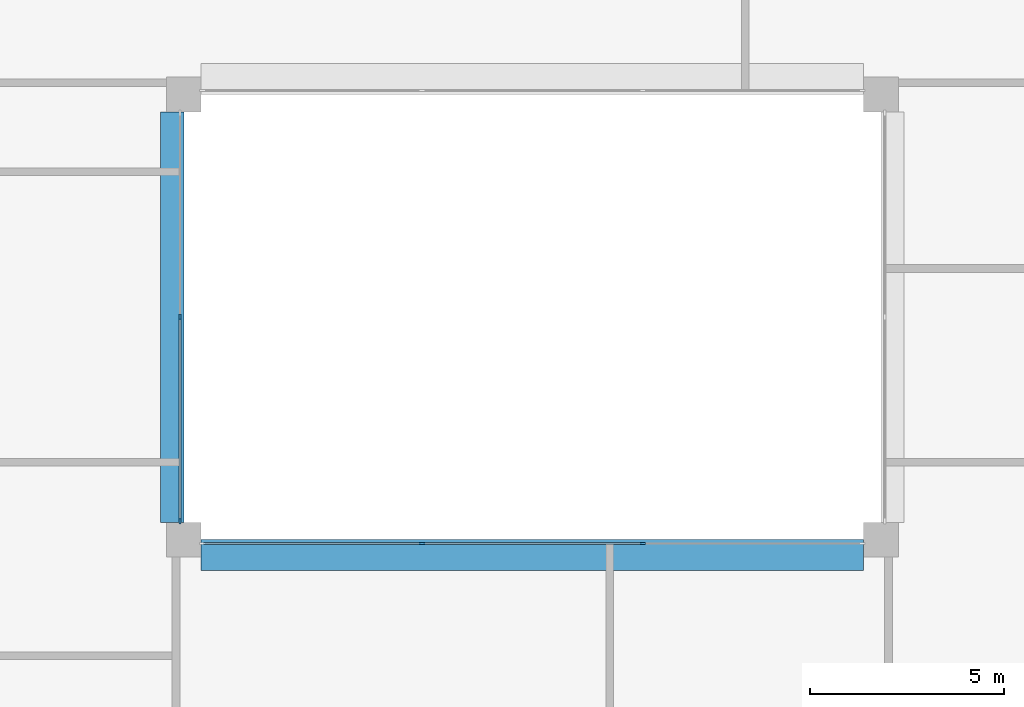
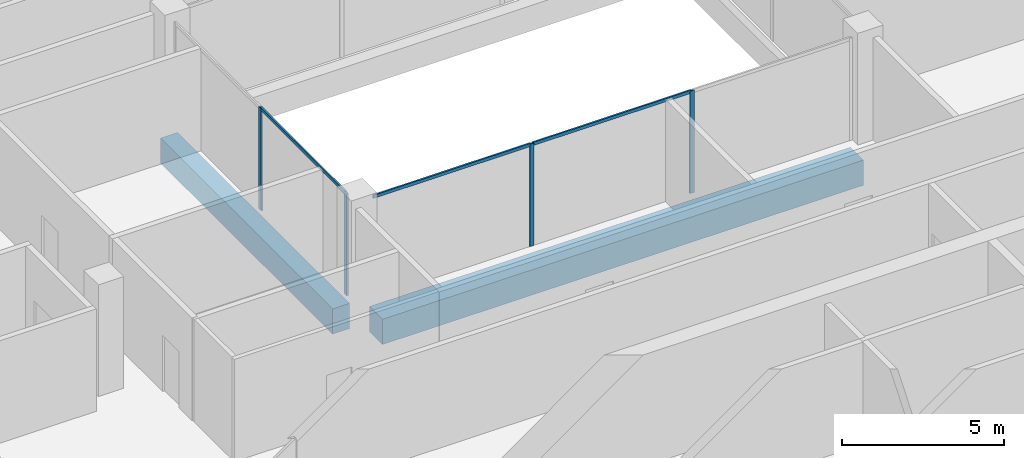
# One storey, part 3 of 15: 7 members, 2 beams, 2 elements without a shape of their own.
"""IFC4 building model written with IfcOpenShell, lengths in metres."""

from ifc_helpers import new_model, si_unit, direction, frame, origin, origin_2d, place, context, subcontext, project, spatial, rectangle, extrude, material, layer, layer_set, material_profile, profile_set, type_object, element, aggregate, save


model = new_model("IFC4")

# Units and contexts
model_context = context("Model", 3, precision=1e-05, world=origin(), true_north=direction((0.0, 1.0)))
body_context = subcontext(model_context, "Body", "Model", "MODEL_VIEW")
ifc_project = project(units=[si_unit("LENGTHUNIT", "METRE"), si_unit("AREAUNIT", "SQUARE_METRE"), si_unit("VOLUMEUNIT", "CUBIC_METRE"), si_unit("PLANEANGLEUNIT", "RADIAN"), si_unit("MASSUNIT", "GRAM", prefix="KILO")], contexts=[model_context])

# Site, building, storey
site_placement = place(None, origin())
site = spatial("IfcSite", under=ifc_project, at=site_placement, CompositionType="ELEMENT")
building_placement = place(site_placement, origin())
building = spatial("IfcBuilding", under=site, at=building_placement, Name="Brigalow Station Residences", CompositionType="ELEMENT")
storey_placement = place(building_placement, frame((0.0, 0.0, 240.0)))
storey = spatial("IfcBuildingStorey", under=building, at=storey_placement, Name="L69", CompositionType="ELEMENT", Elevation=240.0)

# Beams
ifc_material_1 = material(Name="Concrete C65", Category="concrete")
ifc_material_profile_1 = material_profile(ifc_material_1, rectangle(XDim=0.60009765625, YDim=0.949951171875, at=origin_2d()), Name="RC600x950")
ifc_profile_set_1 = profile_set([ifc_material_profile_1], Name="Concrete C65")
beam_type_1 = type_object("IfcBeamType", Name="ATRIUM EDGE GIRDER 600x950 C65", PredefinedType="BEAM", material=ifc_profile_set_1)
beam_1_placement = place(storey_placement, frame((26.699951171875, 24.449951171875, -0.824951171875), z_axis=(0.0, 1.0, 0.0), x_axis=(-1.0, 0.0, 0.0)))
element("IfcBeam", 1, at=beam_1_placement, inside=storey, type_object=beam_type_1, Name="ATRIUM EDGE GIRDER 3 L69", PredefinedType="BEAM", context=body_context, shape_type="SweptSolid", body=[
    extrude(rectangle(XDim=0.60009765625, YDim=0.949951171875, at=origin_2d()), origin(), (0.0, 0.0, 1.0), 10.60009765625),
])
ifc_material_2 = material(Name="Concrete C65", Category="concrete")
ifc_material_profile_2 = material_profile(ifc_material_2, rectangle(XDim=0.800048828125, YDim=0.949951171875, at=origin_2d()), Name="RC800x950")
ifc_profile_set_2 = profile_set([ifc_material_profile_2], Name="Concrete C65")
beam_type_2 = type_object("IfcBeamType", Name="ATRIUM EDGE GIRDER OVER 13.5 M SPAN 800x950 C65", PredefinedType="BEAM", material=ifc_profile_set_2)
beam_2_placement = place(storey_placement, frame((27.449951171875, 23.60009765625, -0.824951171875), z_axis=(1.0, 0.0, 0.0), x_axis=(0.0, 1.0, 0.0)))
element("IfcBeam", 2, at=beam_2_placement, inside=storey, type_object=beam_type_2, Name="ATRIUM EDGE GIRDER C L69", PredefinedType="BEAM", context=body_context, shape_type="SweptSolid", body=[
    extrude(rectangle(XDim=0.800048828125, YDim=0.949951171875, at=origin_2d()), origin(), (0.0, 0.0, 1.0), 17.10009765625),
])

# Curtain wall, members
ifc_material_3 = material(Name="Aluminium", Category="aluminium")
ifc_layer = layer(ifc_material_3, 0.14990234375)
ifc_layer_set = layer_set([ifc_layer], Name="ATRIUM FIRE-RATED GLAZING CURTAIN WALL")
curtain_wall_type = type_object("IfcCurtainWallType", Name="ATRIUM FIRE-RATED GLAZING CURTAIN WALL", PredefinedType="NOTDEFINED", material=ifc_layer_set)
curtain_wall_1_placement = place(storey_placement, origin())
curtain_wall_1 = element("IfcCurtainWall", 3, at=curtain_wall_1_placement, inside=storey, type_object=curtain_wall_type, Name="L69/cw/atrium-S", PredefinedType="NOTDEFINED")
ifc_material_4 = material(Name="Aluminium", Category="aluminium")
ifc_material_profile_3 = material_profile(ifc_material_4, rectangle(XDim=0.06005859375, YDim=0.14990234375, at=origin_2d()), Name="ATRIUM FIRE-RATED GLAZING MULLION 60x150")
ifc_profile_set_3 = profile_set([ifc_material_profile_3], Name="Aluminium")
member_type_1 = type_object("IfcMemberType", Name="ATRIUM FIRE-RATED GLAZING MULLION 60x150", PredefinedType="MULLION", material=ifc_profile_set_3)
member_1_placement = place(storey_placement, frame((33.14990234375, 23.89990234375, 0.0), z_axis=(0.0, 0.0, 1.0), x_axis=(0.0, 1.0, 0.0)))
member_1 = element("IfcMember", 4, at=member_1_placement, type_object=member_type_1, Name="L69/cw/atrium-S/M01", PredefinedType="MULLION", context=body_context, shape_type="SweptSolid", body=[
    extrude(rectangle(XDim=0.06005859375, YDim=0.14990234375, at=origin_2d()), origin(), (0.0, 0.0, 1.0), 3.85009765625),
])
member_2_placement = place(storey_placement, frame((38.85009765625, 23.89990234375, 0.0), z_axis=(0.0, 0.0, 1.0), x_axis=(0.0, 1.0, 0.0)))
member_2 = element("IfcMember", 5, at=member_2_placement, type_object=member_type_1, Name="L69/cw/atrium-S/M02", PredefinedType="MULLION", context=body_context, shape_type="SweptSolid", body=[
    extrude(rectangle(XDim=0.06005859375, YDim=0.14990234375, at=origin_2d()), origin(), (0.0, 0.0, 1.0), 3.85009765625),
])

curtain_wall_2_placement = place(storey_placement, origin())
curtain_wall_2 = element("IfcCurtainWall", 6, at=curtain_wall_2_placement, inside=storey, type_object=curtain_wall_type, Name="L69/cw/atrium-W", PredefinedType="NOTDEFINED")
member_3_placement = place(storey_placement, frame((26.89990234375, 29.75, 0.0), z_axis=(0.0, 0.0, 1.0), x_axis=(1.0, 0.0, 0.0)))
member_3 = element("IfcMember", 7, at=member_3_placement, type_object=member_type_1, Name="L69/cw/atrium-W/M01", PredefinedType="MULLION", context=body_context, shape_type="SweptSolid", body=[
    extrude(rectangle(XDim=0.06005859375, YDim=0.14990234375, at=origin_2d()), origin(), (0.0, 0.0, 1.0), 3.85009765625),
])
member_4_placement = place(storey_placement, frame((26.89990234375, 24.47998046875, 0.0), z_axis=(0.0, 0.0, 1.0), x_axis=(1.0, 0.0, 0.0)))
member_4 = element("IfcMember", 8, at=member_4_placement, type_object=member_type_1, Name="L69/cw/atrium-W/M02", PredefinedType="MULLION", context=body_context, shape_type="SweptSolid", body=[
    extrude(rectangle(XDim=0.06005859375, YDim=0.14990234375, at=origin_2d()), origin(), (0.0, 0.0, 1.0), 3.85009765625),
])

# Member
ifc_material_5 = material(Name="Aluminium", Category="aluminium")
ifc_material_profile_4 = material_profile(ifc_material_5, rectangle(XDim=0.06005859375, YDim=0.1201171875, at=origin_2d()), Name="ATRIUM FIRE-RATED GLAZING TRANSOM 60x120")
ifc_profile_set_4 = profile_set([ifc_material_profile_4], Name="Aluminium")
member_type_2 = type_object("IfcMemberType", Name="ATRIUM FIRE-RATED GLAZING TRANSOM 60x120", PredefinedType="USERDEFINED", material=ifc_profile_set_4)
member_5_placement = place(storey_placement, frame((27.510009765625, 23.89990234375, 3.820068359375), z_axis=(1.0, 0.0, 0.0), x_axis=(0.0, 1.0, 0.0)))
member_5 = element("IfcMember", 9, at=member_5_placement, type_object=member_type_2, Name="L69/cw/atrium-S/T00-00", ObjectType="TRANSOM", PredefinedType="USERDEFINED", context=body_context, shape_type="SweptSolid", body=[
    extrude(rectangle(XDim=0.06005859375, YDim=0.1201171875, at=origin_2d()), origin(), (0.0, 0.0, 1.0), 5.610107421875),
])

member_6_placement = place(storey_placement, frame((33.179931640625, 23.89990234375, 3.820068359375), z_axis=(1.0, 0.0, 0.0), x_axis=(0.0, 1.0, 0.0)))
member_6 = element("IfcMember", 10, at=member_6_placement, type_object=member_type_2, Name="L69/cw/atrium-S/T01-00", ObjectType="TRANSOM", PredefinedType="USERDEFINED", context=body_context, shape_type="SweptSolid", body=[
    extrude(rectangle(XDim=0.06005859375, YDim=0.1201171875, at=origin_2d()), origin(), (0.0, 0.0, 1.0), 5.64013671875),
])

aggregate(curtain_wall_1, [member_1, member_2, member_5, member_6])

member_7_placement = place(storey_placement, frame((26.89990234375, 29.719970703125, 3.820068359375), z_axis=(0.0, -1.0, 0.0), x_axis=(1.0, 0.0, 0.0)))
member_7 = element("IfcMember", 11, at=member_7_placement, type_object=member_type_2, Name="L69/cw/atrium-W/T01-00", ObjectType="TRANSOM", PredefinedType="USERDEFINED", context=body_context, shape_type="SweptSolid", body=[
    extrude(rectangle(XDim=0.06005859375, YDim=0.1201171875, at=origin_2d()), origin(), (0.0, 0.0, 1.0), 5.2099609375),
])

aggregate(curtain_wall_2, [member_3, member_4, member_7])

save(model, "model.ifc")
